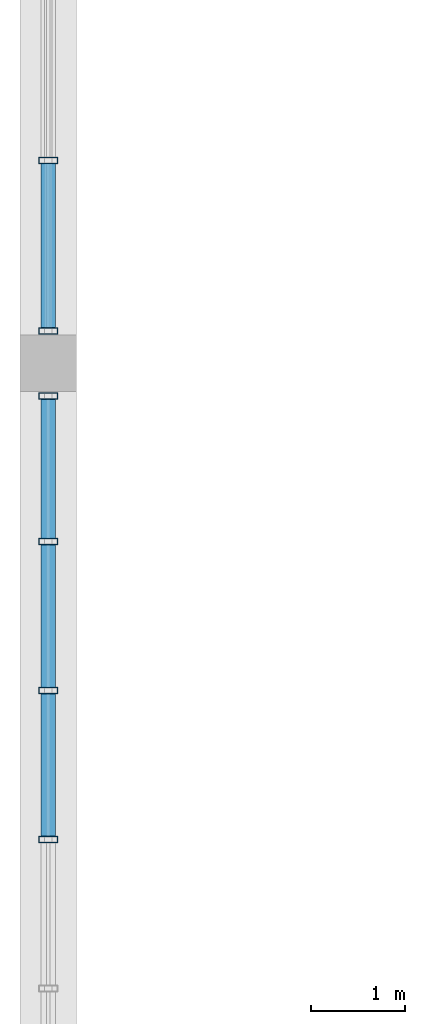
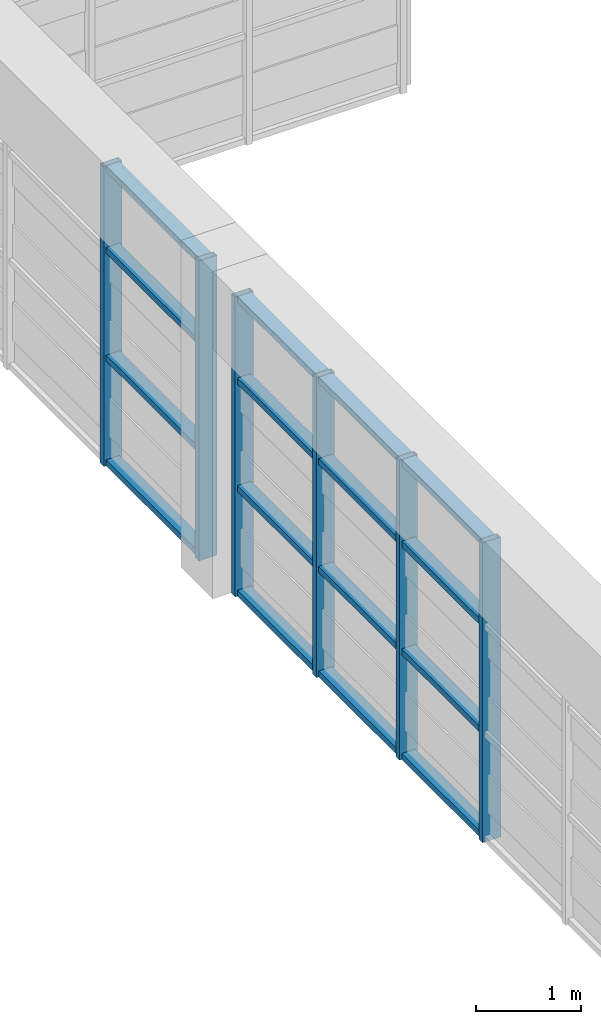
# One storey, part 12 of 27: 22 members, 2 elements without a shape of their own.
"""IFC4 building model written with IfcOpenShell, lengths in metres."""

from ifc_helpers import new_model, si_unit, direction, frame, origin, origin_2d, place, context, subcontext, project, spatial, hollow_rectangle, extrude, source, transform, mapped, material, layer, layer_set, material_profile, profile_set, type_object, element, aggregate, save


model = new_model("IFC4")

# Units and contexts
model_context = context("Model", 3, precision=1e-05, world=origin(), true_north=direction((0.0, 1.0)))
body_context = subcontext(model_context, "Body", "Model", "MODEL_VIEW")
ifc_project = project(units=[si_unit("LENGTHUNIT", "METRE"), si_unit("AREAUNIT", "SQUARE_METRE"), si_unit("VOLUMEUNIT", "CUBIC_METRE"), si_unit("PLANEANGLEUNIT", "RADIAN"), si_unit("MASSUNIT", "GRAM", prefix="KILO")], contexts=[model_context])

# Site, building, storey
site_placement = place(None, origin())
site = spatial("IfcSite", under=ifc_project, at=site_placement, CompositionType="ELEMENT")
building_placement = place(site_placement, origin())
building = spatial("IfcBuilding", under=site, at=building_placement, Name="Saelheon Loggia Tower", CompositionType="ELEMENT")
storey_placement = place(building_placement, frame((0.0, 0.0, 263.60009765625)))
storey = spatial("IfcBuildingStorey", under=building, at=storey_placement, Name="CR4", CompositionType="ELEMENT", Elevation=263.60009765625)

# Curtain wall, members
ifc_material_1 = material(Name="Bronze-Anodised Aluminium and Fritted Ceramic Screen", Category="aluminium")
ifc_layer = layer(ifc_material_1, 0.219970703125)
ifc_layer_set = layer_set([ifc_layer], Name="Bronze-Anodised Aluminium and Fritted Ceramic Screen")
curtain_wall_type = type_object("IfcCurtainWallType", Name="CW_CrownScreen", PredefinedType="NOTDEFINED", material=ifc_layer_set)
curtain_wall_1_placement = place(storey_placement, origin())
curtain_wall_1 = element("IfcCurtainWall", 1, at=curtain_wall_1_placement, inside=storey, type_object=curtain_wall_type, Name="CR4 Crown Screen Curtain Wall 9-1", PredefinedType="NOTDEFINED")
ifc_material_2 = material(Name="Bronze-Anodised Aluminium 6063-T6", Category="aluminium")
ifc_material_profile_1 = material_profile(ifc_material_2, hollow_rectangle(XDim=0.070068359375, YDim=0.199951171875, WallThickness=0.0048828125, at=origin_2d()), Name="RHS-200x70x5")
ifc_profile_set_1 = profile_set([ifc_material_profile_1], Name="Bronze-Anodised Aluminium 6063-T6")
member_type_1 = type_object("IfcMemberType", Name="CW_CrownScreen_Mullion", PredefinedType="MULLION", material=ifc_profile_set_1)
shared_shape_1 = source(origin(), body_context, "Body", "SweptSolid", [
    extrude(hollow_rectangle(XDim=0.070068359375, YDim=0.199951171875, WallThickness=0.0048828125, at=origin_2d()), origin(), (0.0, 0.0, 1.0), 3.47998046875),
])
member_1_placement = place(storey_placement, frame((23.35009765625, 38.1533203125, 0.0), z_axis=(0.0, 0.0, 1.0), x_axis=(0.0, -1.0, 0.0)))
member_1 = element("IfcMember", 2, at=member_1_placement, type_object=member_type_1, Name="CW6 mullion 3", PredefinedType="MULLION", context=body_context, shape_type="MappedRepresentation", body=[
    mapped(shared_shape_1, transform((0.0, 0.0, 0.0), scale=1.0)),
])
member_2_placement = place(storey_placement, frame((23.35009765625, 36.344970703125, 0.0), z_axis=(0.0, 0.0, 1.0), x_axis=(0.0, -1.0, 0.0)))
member_2 = element("IfcMember", 3, at=member_2_placement, type_object=member_type_1, Name="CW6 mullion 4", PredefinedType="MULLION", context=body_context, shape_type="MappedRepresentation", body=[
    mapped(shared_shape_1, transform((0.0, 0.0, 0.0), scale=1.0)),
])

curtain_wall_2_placement = place(storey_placement, origin())
curtain_wall_2 = element("IfcCurtainWall", 4, at=curtain_wall_2_placement, inside=storey, type_object=curtain_wall_type, Name="CR4 Crown Screen Curtain Wall 9-2", PredefinedType="NOTDEFINED")
member_3_placement = place(storey_placement, frame((23.35009765625, 35.655029296875, 0.0), z_axis=(0.0, 0.0, 1.0), x_axis=(0.0, -1.0, 0.0)))
member_3 = element("IfcMember", 5, at=member_3_placement, type_object=member_type_1, Name="CW6 mullion 1", PredefinedType="MULLION", context=body_context, shape_type="MappedRepresentation", body=[
    mapped(shared_shape_1, transform((0.0, 0.0, 0.0), scale=1.0)),
])
member_4_placement = place(storey_placement, frame((23.35009765625, 34.110107421875, 0.0), z_axis=(0.0, 0.0, 1.0), x_axis=(0.0, -1.0, 0.0)))
member_4 = element("IfcMember", 6, at=member_4_placement, type_object=member_type_1, Name="CW6 mullion 2", PredefinedType="MULLION", context=body_context, shape_type="MappedRepresentation", body=[
    mapped(shared_shape_1, transform((0.0, 0.0, 0.0), scale=1.0)),
])
member_5_placement = place(storey_placement, frame((23.35009765625, 32.530029296875, 0.0), z_axis=(0.0, 0.0, 1.0), x_axis=(0.0, -1.0, 0.0)))
member_5 = element("IfcMember", 7, at=member_5_placement, type_object=member_type_1, Name="CW6 mullion 3", PredefinedType="MULLION", context=body_context, shape_type="MappedRepresentation", body=[
    mapped(shared_shape_1, transform((0.0, 0.0, 0.0), scale=1.0)),
])
member_6_placement = place(storey_placement, frame((23.35009765625, 30.949951171875, 0.0), z_axis=(0.0, 0.0, 1.0), x_axis=(0.0, -1.0, 0.0)))
member_6 = element("IfcMember", 8, at=member_6_placement, type_object=member_type_1, Name="CW6 mullion 4", PredefinedType="MULLION", context=body_context, shape_type="MappedRepresentation", body=[
    mapped(shared_shape_1, transform((0.0, 0.0, 0.0), scale=1.0)),
])

# Member
ifc_material_profile_2 = material_profile(ifc_material_2, hollow_rectangle(XDim=0.070068359375, YDim=0.14990234375, WallThickness=0.0048828125, at=origin_2d()), Name="RHS-150x70x5")
ifc_profile_set_2 = profile_set([ifc_material_profile_2], Name="Bronze-Anodised Aluminium 6063-T6")
member_type_2 = type_object("IfcMemberType", Name="CW_CrownScreen_Transom", PredefinedType="USERDEFINED", material=ifc_profile_set_2)
shared_shape_2 = source(origin(), body_context, "Body", "SweptSolid", [
    extrude(hollow_rectangle(XDim=0.070068359375, YDim=0.14990234375, WallThickness=0.0048828125, at=origin_2d()), origin(), (0.0, 0.0, 1.0), 1.738525390625),
])
member_7_placement = place(storey_placement, frame((23.35009765625, 38.118408203125, 0.034912109375), z_axis=(0.0, -1.0, 0.0), x_axis=(0.0, 0.0, 1.0)))
member_7 = element("IfcMember", 9, at=member_7_placement, type_object=member_type_2, Name="CW6 transom 3.1", ObjectType="TRANSOM", PredefinedType="USERDEFINED", context=body_context, shape_type="MappedRepresentation", body=[
    mapped(shared_shape_2, transform((0.0, 0.0, 0.0), scale=1.0)),
])

member_8_placement = place(storey_placement, frame((23.35009765625, 38.118408203125, 1.25), z_axis=(0.0, -1.0, 0.0), x_axis=(0.0, 0.0, 1.0)))
member_8 = element("IfcMember", 10, at=member_8_placement, type_object=member_type_2, Name="CW6 transom 3.2", ObjectType="TRANSOM", PredefinedType="USERDEFINED", context=body_context, shape_type="MappedRepresentation", body=[
    mapped(shared_shape_2, transform((0.0, 0.0, 0.0), scale=1.0)),
])

member_9_placement = place(storey_placement, frame((23.35009765625, 38.118408203125, 2.5), z_axis=(0.0, -1.0, 0.0), x_axis=(0.0, 0.0, 1.0)))
member_9 = element("IfcMember", 11, at=member_9_placement, type_object=member_type_2, Name="CW6 transom 3.3", ObjectType="TRANSOM", PredefinedType="USERDEFINED", context=body_context, shape_type="MappedRepresentation", body=[
    mapped(shared_shape_2, transform((0.0, 0.0, 0.0), scale=1.0)),
])

member_10_placement = place(storey_placement, frame((23.35009765625, 38.118408203125, 3.44482421875), z_axis=(0.0, -1.0, 0.0), x_axis=(0.0, 0.0, 1.0)))
member_10 = element("IfcMember", 12, at=member_10_placement, type_object=member_type_2, Name="CW6 transom 3.4", ObjectType="TRANSOM", PredefinedType="USERDEFINED", context=body_context, shape_type="MappedRepresentation", body=[
    mapped(shared_shape_2, transform((0.0, 0.0, 0.0), scale=1.0)),
])

aggregate(curtain_wall_1, [member_1, member_2, member_7, member_8, member_9, member_10])

shared_shape_3 = source(origin(), body_context, "Body", "SweptSolid", [
    extrude(hollow_rectangle(XDim=0.070068359375, YDim=0.14990234375, WallThickness=0.0048828125, at=origin_2d()), origin(), (0.0, 0.0, 1.0), 1.47509765625),
])
member_11_placement = place(storey_placement, frame((23.35009765625, 35.6201171875, 0.034912109375), z_axis=(0.0, -1.0, 0.0), x_axis=(0.0, 0.0, 1.0)))
member_11 = element("IfcMember", 13, at=member_11_placement, type_object=member_type_2, Name="CW6 transom 1.1", ObjectType="TRANSOM", PredefinedType="USERDEFINED", context=body_context, shape_type="MappedRepresentation", body=[
    mapped(shared_shape_3, transform((0.0, 0.0, 0.0), scale=1.0)),
])

member_12_placement = place(storey_placement, frame((23.35009765625, 35.6201171875, 1.25), z_axis=(0.0, -1.0, 0.0), x_axis=(0.0, 0.0, 1.0)))
member_12 = element("IfcMember", 14, at=member_12_placement, type_object=member_type_2, Name="CW6 transom 1.2", ObjectType="TRANSOM", PredefinedType="USERDEFINED", context=body_context, shape_type="MappedRepresentation", body=[
    mapped(shared_shape_3, transform((0.0, 0.0, 0.0), scale=1.0)),
])

member_13_placement = place(storey_placement, frame((23.35009765625, 35.6201171875, 2.5), z_axis=(0.0, -1.0, 0.0), x_axis=(0.0, 0.0, 1.0)))
member_13 = element("IfcMember", 15, at=member_13_placement, type_object=member_type_2, Name="CW6 transom 1.3", ObjectType="TRANSOM", PredefinedType="USERDEFINED", context=body_context, shape_type="MappedRepresentation", body=[
    mapped(shared_shape_3, transform((0.0, 0.0, 0.0), scale=1.0)),
])

member_14_placement = place(storey_placement, frame((23.35009765625, 35.6201171875, 3.44482421875), z_axis=(0.0, -1.0, 0.0), x_axis=(0.0, 0.0, 1.0)))
member_14 = element("IfcMember", 16, at=member_14_placement, type_object=member_type_2, Name="CW6 transom 1.4", ObjectType="TRANSOM", PredefinedType="USERDEFINED", context=body_context, shape_type="MappedRepresentation", body=[
    mapped(shared_shape_3, transform((0.0, 0.0, 0.0), scale=1.0)),
])

shared_shape_4 = source(origin(), body_context, "Body", "SweptSolid", [
    extrude(hollow_rectangle(XDim=0.070068359375, YDim=0.14990234375, WallThickness=0.0048828125, at=origin_2d()), origin(), (0.0, 0.0, 1.0), 1.510009765625),
])
member_15_placement = place(storey_placement, frame((23.35009765625, 34.074951171875, 0.034912109375), z_axis=(0.0, -1.0, 0.0), x_axis=(0.0, 0.0, 1.0)))
member_15 = element("IfcMember", 17, at=member_15_placement, type_object=member_type_2, Name="CW6 transom 2.1", ObjectType="TRANSOM", PredefinedType="USERDEFINED", context=body_context, shape_type="MappedRepresentation", body=[
    mapped(shared_shape_4, transform((0.0, 0.0, 0.0), scale=1.0)),
])

member_16_placement = place(storey_placement, frame((23.35009765625, 34.074951171875, 1.25), z_axis=(0.0, -1.0, 0.0), x_axis=(0.0, 0.0, 1.0)))
member_16 = element("IfcMember", 18, at=member_16_placement, type_object=member_type_2, Name="CW6 transom 2.2", ObjectType="TRANSOM", PredefinedType="USERDEFINED", context=body_context, shape_type="MappedRepresentation", body=[
    mapped(shared_shape_4, transform((0.0, 0.0, 0.0), scale=1.0)),
])

member_17_placement = place(storey_placement, frame((23.35009765625, 34.074951171875, 2.5), z_axis=(0.0, -1.0, 0.0), x_axis=(0.0, 0.0, 1.0)))
member_17 = element("IfcMember", 19, at=member_17_placement, type_object=member_type_2, Name="CW6 transom 2.3", ObjectType="TRANSOM", PredefinedType="USERDEFINED", context=body_context, shape_type="MappedRepresentation", body=[
    mapped(shared_shape_4, transform((0.0, 0.0, 0.0), scale=1.0)),
])

member_18_placement = place(storey_placement, frame((23.35009765625, 34.074951171875, 3.44482421875), z_axis=(0.0, -1.0, 0.0), x_axis=(0.0, 0.0, 1.0)))
member_18 = element("IfcMember", 20, at=member_18_placement, type_object=member_type_2, Name="CW6 transom 2.4", ObjectType="TRANSOM", PredefinedType="USERDEFINED", context=body_context, shape_type="MappedRepresentation", body=[
    mapped(shared_shape_4, transform((0.0, 0.0, 0.0), scale=1.0)),
])

member_19_placement = place(storey_placement, frame((23.35009765625, 32.4951171875, 0.034912109375), z_axis=(0.0, -1.0, 0.0), x_axis=(0.0, 0.0, 1.0)))
member_19 = element("IfcMember", 21, at=member_19_placement, type_object=member_type_2, Name="CW6 transom 3.1", ObjectType="TRANSOM", PredefinedType="USERDEFINED", context=body_context, shape_type="MappedRepresentation", body=[
    mapped(shared_shape_4, transform((0.0, 0.0, 0.0), scale=1.0)),
])

member_20_placement = place(storey_placement, frame((23.35009765625, 32.4951171875, 1.25), z_axis=(0.0, -1.0, 0.0), x_axis=(0.0, 0.0, 1.0)))
member_20 = element("IfcMember", 22, at=member_20_placement, type_object=member_type_2, Name="CW6 transom 3.2", ObjectType="TRANSOM", PredefinedType="USERDEFINED", context=body_context, shape_type="MappedRepresentation", body=[
    mapped(shared_shape_4, transform((0.0, 0.0, 0.0), scale=1.0)),
])

member_21_placement = place(storey_placement, frame((23.35009765625, 32.4951171875, 2.5), z_axis=(0.0, -1.0, 0.0), x_axis=(0.0, 0.0, 1.0)))
member_21 = element("IfcMember", 23, at=member_21_placement, type_object=member_type_2, Name="CW6 transom 3.3", ObjectType="TRANSOM", PredefinedType="USERDEFINED", context=body_context, shape_type="MappedRepresentation", body=[
    mapped(shared_shape_4, transform((0.0, 0.0, 0.0), scale=1.0)),
])

member_22_placement = place(storey_placement, frame((23.35009765625, 32.4951171875, 3.44482421875), z_axis=(0.0, -1.0, 0.0), x_axis=(0.0, 0.0, 1.0)))
member_22 = element("IfcMember", 24, at=member_22_placement, type_object=member_type_2, Name="CW6 transom 3.4", ObjectType="TRANSOM", PredefinedType="USERDEFINED", context=body_context, shape_type="MappedRepresentation", body=[
    mapped(shared_shape_4, transform((0.0, 0.0, 0.0), scale=1.0)),
])

aggregate(curtain_wall_2, [member_3, member_4, member_5, member_6, member_11, member_12, member_13, member_14, member_15, member_16, member_17, member_18, member_19, member_20, member_21, member_22])

save(model, "model.ifc")
